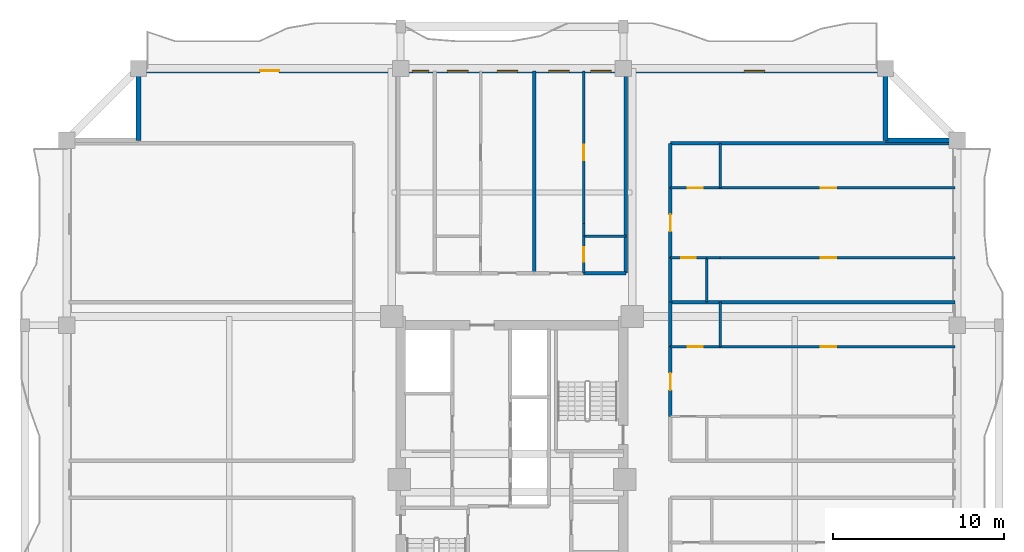
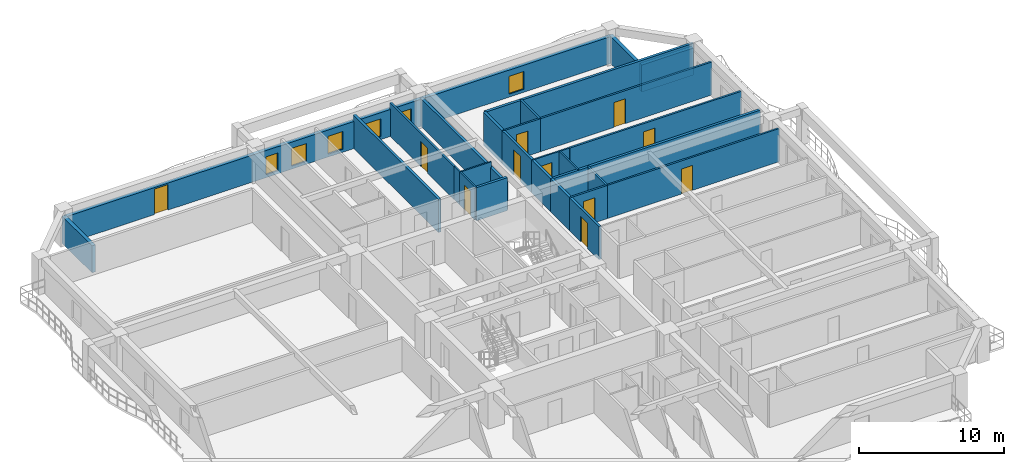
# One storey, part 6 of 12: 28 walls, 11 doors, 6 windows, 17 openings.
"""IFC4 building model written with IfcOpenShell, lengths in metres."""

from ifc_helpers import new_model, si_unit, direction, frame, frame_2d, origin, place, context, subcontext, project, spatial, rectangle, extrude, source, transform, mapped, material, layer, layer_set, type_object, element, fill, save


model = new_model("IFC4")

# Units and contexts
model_context = context("Model", 3, precision=1e-05, world=origin(), true_north=direction((0.0, 1.0)))
body_context = subcontext(model_context, "Body", "Model", "MODEL_VIEW")
ifc_project = project(units=[si_unit("LENGTHUNIT", "METRE"), si_unit("AREAUNIT", "SQUARE_METRE"), si_unit("VOLUMEUNIT", "CUBIC_METRE"), si_unit("PLANEANGLEUNIT", "RADIAN"), si_unit("MASSUNIT", "GRAM", prefix="KILO")], contexts=[model_context])

# Site, building, storey
site_placement = place(None, origin())
site = spatial("IfcSite", under=ifc_project, at=site_placement, CompositionType="ELEMENT")
building_placement = place(site_placement, origin())
building = spatial("IfcBuilding", under=site, at=building_placement, Name="Saelheon Loggia Tower", CompositionType="ELEMENT")
storey_placement = place(building_placement, frame((0.0, 0.0, 101.85009765625)))
storey = spatial("IfcBuildingStorey", under=building, at=storey_placement, Name="L32", CompositionType="ELEMENT", Elevation=101.85009765625)

# Wall, openings, windows, door
ifc_material_1 = material(Name="Architectural Precast Concrete C40/50", Category="concrete")
ifc_layer_1 = layer(ifc_material_1, 0.280029296875)
ifc_layer_set_1 = layer_set([ifc_layer_1], Name="Architectural Precast Concrete C40/50")
wall_type_1 = type_object("IfcWallType", Name="Wall_Ext_Loggia_280", PredefinedType="SOLIDWALL", material=ifc_layer_set_1)
wall_1_placement = place(storey_placement, frame((16.199951171875, 50.860107421875, 0.0), z_axis=(0.0, 0.0, 1.0), x_axis=(1.0, 0.0, 0.0)))
wall_1 = element("IfcWall", 1, at=wall_1_placement, inside=storey, type_object=wall_type_1, Name="L32 North Loggia Inner Wall", PredefinedType="SOLIDWALL", context=body_context, shape_type="SweptSolid", body=[
    extrude(rectangle(XDim=43.60009765625, YDim=0.280029296875, at=frame_2d((21.800048828125, 0.0))), origin(), (0.0, 0.0, 1.0), 2.27978515625),
])
opening_1_placement = place(wall_1_placement, frame((7.10009765625, 0.0, 0.0)))
opening_1 = element("IfcOpeningElement", 2, at=opening_1_placement, cuts=wall_1, Name="Opening TD1", PredefinedType="OPENING", context=body_context, shape_type="SweptSolid", body=[
    extrude(rectangle(XDim=1.10009765625, YDim=2.14990234375, at=frame_2d((0.550048828125, 1.074951171875))), frame((0.0, 0.152099609375, 0.0), z_axis=(0.0, -1.0, 0.0), x_axis=(1.0, 0.0, 0.0)), (0.0, 0.0, 1.0), 0.303955078125),
])
opening_2_placement = place(wall_1_placement, frame((15.982421875, 0.0, 0.25)))
opening_2 = element("IfcOpeningElement", 3, at=opening_2_placement, cuts=wall_1, Name="Opening WN-04", PredefinedType="OPENING", context=body_context, shape_type="SweptSolid", body=[
    extrude(rectangle(XDim=0.949951171875, YDim=1.5, at=frame_2d((0.47509765625, 0.75))), frame((0.0, 0.152099609375, 0.0), z_axis=(0.0, -1.0, 0.0), x_axis=(1.0, 0.0, 0.0)), (0.0, 0.0, 1.0), 0.303955078125),
])
opening_3_placement = place(wall_1_placement, frame((18.033447265625, 0.0, 0.25)))
opening_3 = element("IfcOpeningElement", 4, at=opening_3_placement, cuts=wall_1, Name="Opening WN-03", PredefinedType="OPENING", context=body_context, shape_type="SweptSolid", body=[
    extrude(rectangle(XDim=1.199951171875, YDim=1.5, at=frame_2d((0.60009765625, 0.75))), frame((0.0, 0.152099609375, 0.0), z_axis=(0.0, -1.0, 0.0), x_axis=(1.0, 0.0, 0.0)), (0.0, 0.0, 1.0), 0.303955078125),
])
opening_4_placement = place(wall_1_placement, frame((20.9326171875, 0.0, 0.25)))
opening_4 = element("IfcOpeningElement", 5, at=opening_4_placement, cuts=wall_1, Name="Opening WN-03", PredefinedType="OPENING", context=body_context, shape_type="SweptSolid", body=[
    extrude(rectangle(XDim=1.199951171875, YDim=1.5, at=frame_2d((0.60009765625, 0.75))), frame((0.0, 0.152099609375, 0.0), z_axis=(0.0, -1.0, 0.0), x_axis=(1.0, 0.0, 0.0)), (0.0, 0.0, 1.0), 0.303955078125),
])
opening_5_placement = place(wall_1_placement, frame((23.943115234375, 0.0, 0.25)))
opening_5 = element("IfcOpeningElement", 6, at=opening_5_placement, cuts=wall_1, Name="Opening WN-03", PredefinedType="OPENING", context=body_context, shape_type="SweptSolid", body=[
    extrude(rectangle(XDim=1.199951171875, YDim=1.5, at=frame_2d((0.60009765625, 0.75))), frame((0.0, 0.152099609375, 0.0), z_axis=(0.0, -1.0, 0.0), x_axis=(1.0, 0.0, 0.0)), (0.0, 0.0, 1.0), 0.303955078125),
])
opening_6_placement = place(wall_1_placement, frame((26.386474609375, 0.0, 0.25)))
opening_6 = element("IfcOpeningElement", 7, at=opening_6_placement, cuts=wall_1, Name="Opening WN-03", PredefinedType="OPENING", context=body_context, shape_type="SweptSolid", body=[
    extrude(rectangle(XDim=1.199951171875, YDim=1.5, at=frame_2d((0.60009765625, 0.75))), frame((0.0, 0.152099609375, 0.0), z_axis=(0.0, -1.0, 0.0), x_axis=(1.0, 0.0, 0.0)), (0.0, 0.0, 1.0), 0.303955078125),
])
opening_7_placement = place(wall_1_placement, frame((35.35009765625, 0.0, 0.25)))
opening_7 = element("IfcOpeningElement", 8, at=opening_7_placement, cuts=wall_1, Name="Opening WN-03", PredefinedType="OPENING", context=body_context, shape_type="SweptSolid", body=[
    extrude(rectangle(XDim=1.199951171875, YDim=1.5, at=frame_2d((0.60009765625, 0.75))), frame((0.0, 0.152099609375, 0.0), z_axis=(0.0, -1.0, 0.0), x_axis=(1.0, 0.0, 0.0)), (0.0, 0.0, 1.0), 0.303955078125),
])
ifc_material_2 = material(Name="Thermal-Break Aluminium and Triple Low-E Glass", Category="aluminium")
window_type_1 = type_object("IfcWindowType", Name="Win_Bedroom_1200x1500", PartitioningType="SINGLE_PANEL", PredefinedType="WINDOW", material=ifc_material_2)
shared_shape_1 = source(origin(), body_context, "Body", "SweptSolid", [
    extrude(rectangle(XDim=1.199951171875, YDim=1.5, at=frame_2d((0.60009765625, 0.75))), frame((0.0, 0.030029296875, 0.0), z_axis=(0.0, -1.0, 0.0), x_axis=(1.0, 0.0, 0.0)), (0.0, 0.0, 1.0), 0.06005859375),
])
window_1_placement = place(opening_3_placement, origin())
window_1 = element("IfcWindow", 9, at=window_1_placement, inside=storey, type_object=window_type_1, Name="L32 N Dwelling Window 3", OverallHeight=1.5, OverallWidth=1.199951171875, PartitioningType="SINGLE_PANEL", PredefinedType="WINDOW", context=body_context, shape_type="MappedRepresentation", body=[
    mapped(shared_shape_1, transform((0.0, 0.0, 0.0), scale=1.0)),
])
fill(opening_3, window_1)
window_2_placement = place(opening_4_placement, origin())
window_2 = element("IfcWindow", 10, at=window_2_placement, inside=storey, type_object=window_type_1, Name="L32 N Dwelling Window 4", OverallHeight=1.5, OverallWidth=1.199951171875, PartitioningType="SINGLE_PANEL", PredefinedType="WINDOW", context=body_context, shape_type="MappedRepresentation", body=[
    mapped(shared_shape_1, transform((0.0, 0.0, 0.0), scale=1.0)),
])
fill(opening_4, window_2)
window_3_placement = place(opening_5_placement, origin())
window_3 = element("IfcWindow", 11, at=window_3_placement, inside=storey, type_object=window_type_1, Name="L32 N Dwelling Window 5", OverallHeight=1.5, OverallWidth=1.199951171875, PartitioningType="SINGLE_PANEL", PredefinedType="WINDOW", context=body_context, shape_type="MappedRepresentation", body=[
    mapped(shared_shape_1, transform((0.0, 0.0, 0.0), scale=1.0)),
])
fill(opening_5, window_3)
window_4_placement = place(opening_6_placement, origin())
window_4 = element("IfcWindow", 12, at=window_4_placement, inside=storey, type_object=window_type_1, Name="L32 N Dwelling Window 6", OverallHeight=1.5, OverallWidth=1.199951171875, PartitioningType="SINGLE_PANEL", PredefinedType="WINDOW", context=body_context, shape_type="MappedRepresentation", body=[
    mapped(shared_shape_1, transform((0.0, 0.0, 0.0), scale=1.0)),
])
fill(opening_6, window_4)
window_5_placement = place(opening_7_placement, origin())
window_5 = element("IfcWindow", 13, at=window_5_placement, inside=storey, type_object=window_type_1, Name="L32 N Dwelling Window 7", OverallHeight=1.5, OverallWidth=1.199951171875, PartitioningType="SINGLE_PANEL", PredefinedType="WINDOW", context=body_context, shape_type="MappedRepresentation", body=[
    mapped(shared_shape_1, transform((0.0, 0.0, 0.0), scale=1.0)),
])
fill(opening_7, window_5)
ifc_material_3 = material(Name="Thermal-Break Aluminium Glazed Door", Category="aluminium")
door_type_1 = type_object("IfcDoorType", Name="Door_Terrace_TD1", OperationType="NOTDEFINED", PredefinedType="DOOR", material=ifc_material_3)
shared_shape_2 = source(origin(), body_context, "Body", "SweptSolid", [
    extrude(rectangle(XDim=1.10009765625, YDim=2.14990234375, at=frame_2d((0.550048828125, 1.074951171875))), frame((0.0, 0.02490234375, 0.0), z_axis=(0.0, -1.0, 0.0), x_axis=(1.0, 0.0, 0.0)), (0.0, 0.0, 1.0), 0.050048828125),
])
door_1_placement = place(opening_1_placement, origin())
door_1 = element("IfcDoor", 14, at=door_1_placement, inside=storey, type_object=door_type_1, Name="L32 N Loggia Access Door", OperationType="SINGLE_SWING_LEFT", OverallHeight=2.14990234375, OverallWidth=1.10009765625, PredefinedType="DOOR", context=body_context, shape_type="MappedRepresentation", body=[
    mapped(shared_shape_2, transform((0.0, 0.0, 0.0), scale=1.0)),
])
fill(opening_1, door_1)
window_type_2 = type_object("IfcWindowType", Name="Win_Narrow_950x1500", PartitioningType="SINGLE_PANEL", PredefinedType="WINDOW", material=ifc_material_2)
shared_shape_3 = source(origin(), body_context, "Body", "SweptSolid", [
    extrude(rectangle(XDim=0.949951171875, YDim=1.5, at=frame_2d((0.47509765625, 0.75))), frame((0.0, 0.030029296875, 0.0), z_axis=(0.0, -1.0, 0.0), x_axis=(1.0, 0.0, 0.0)), (0.0, 0.0, 1.0), 0.06005859375),
])
window_6_placement = place(opening_2_placement, origin())
window_6 = element("IfcWindow", 15, at=window_6_placement, inside=storey, type_object=window_type_2, Name="L32 N Dwelling Window 2", OverallHeight=1.5, OverallWidth=0.949951171875, PartitioningType="SINGLE_PANEL", PredefinedType="WINDOW", context=body_context, shape_type="MappedRepresentation", body=[
    mapped(shared_shape_3, transform((0.0, 0.0, 0.0), scale=1.0)),
])
fill(opening_2, window_6)

# Walls
for number, where, z_axis, x_axis, name in (
    (16, (16.199951171875, 46.800048828125, 0.0), (0.0, 0.0, 1.0), (0.0, 1.0, 0.0), "L32 Corner Notch Precast Wall NW1"),
    (17, (59.800048828125, 46.800048828125, 0.0), (0.0, 0.0, 1.0), (0.0, 1.0, 0.0), "L32 Corner Notch Precast Wall NE1"),
    (18, (59.800048828125, 46.800048828125, 0.0), (0.0, 0.0, 1.0), (1.0, 0.0, 0.0), "L32 Corner Notch Precast Wall NE2"),
):
    element("IfcWall", number, at=place(storey_placement, frame(where, z_axis=z_axis, x_axis=x_axis)), inside=storey, type_object=wall_type_1, Name=name, PredefinedType="SOLIDWALL", context=body_context, shape_type="SweptSolid", body=[
        extrude(rectangle(XDim=4.119873046875, YDim=0.280029296875, at=frame_2d((2.06005859375, 0.0))), origin(), (0.0, 0.0, 1.0), 2.27978515625),
    ])

# Wall, opening, door
ifc_material_4 = material(Name="Lightweight Autoclaved Aerated Concrete Block and Acoustic Gypsum", Category="concrete")
ifc_layer_2 = layer(ifc_material_4, 0.14990234375)
ifc_layer_set_2 = layer_set([ifc_layer_2], Name="Lightweight Autoclaved Aerated Concrete Block and Acoustic Gypsum")
wall_type_2 = type_object("IfcWallType", Name="Wall_Part_150", PredefinedType="PARTITIONING", material=ifc_layer_set_2)
wall_2_placement = place(storey_placement, frame((42.18798828125, 41.949951171875, 0.0), z_axis=(0.0, 0.0, 1.0), x_axis=(0.0, 1.0, 0.0)))
wall_2 = element("IfcWall", 19, at=wall_2_placement, inside=storey, type_object=wall_type_2, Name="L32 N Partition U17", PredefinedType="PARTITIONING", context=body_context, shape_type="SweptSolid", body=[
    extrude(rectangle(XDim=8.900146484375, YDim=0.14990234375, at=frame_2d((4.4501953125, 0.0))), origin(), (0.0, 0.0, 1.0), 2.789794921875),
])
opening_8_placement = place(wall_2_placement, frame((3.686767578125, 0.0, 0.0)))
opening_8 = element("IfcOpeningElement", 20, at=opening_8_placement, cuts=wall_2, Name="Opening D-IN2", PredefinedType="OPENING", context=body_context, shape_type="SweptSolid", body=[
    extrude(rectangle(XDim=0.89990234375, YDim=2.10009765625, at=frame_2d((0.449951171875, 1.050048828125))), frame((0.0, 0.0869140625, 0.0), z_axis=(0.0, -1.0, 0.0), x_axis=(1.0, 0.0, 0.0)), (0.0, 0.0, 1.0), 0.173828125),
])
ifc_material_5 = material(Name="Engineered Oak Flush Door", Category="timber")
door_type_2 = type_object("IfcDoorType", Name="Door_Int_900", OperationType="NOTDEFINED", PredefinedType="DOOR", material=ifc_material_5)
shared_shape_4 = source(origin(), body_context, "Body", "SweptSolid", [
    extrude(rectangle(XDim=0.89990234375, YDim=2.10009765625, at=frame_2d((0.449951171875, 1.050048828125))), frame((0.0, 0.02490234375, 0.0), z_axis=(0.0, -1.0, 0.0), x_axis=(1.0, 0.0, 0.0)), (0.0, 0.0, 1.0), 0.050048828125),
])
door_2_placement = place(opening_8_placement, origin())
door_2 = element("IfcDoor", 21, at=door_2_placement, inside=storey, type_object=door_type_2, Name="Unit U03 Kitchen Door", OperationType="SINGLE_SWING_LEFT", OverallHeight=2.10009765625, OverallWidth=0.89990234375, PredefinedType="DOOR", context=body_context, shape_type="MappedRepresentation", body=[
    mapped(shared_shape_4, transform((0.0, 0.0, 0.0), scale=1.0)),
])
fill(opening_8, door_2)

# Wall
wall_3_placement = place(storey_placement, frame((50.14990234375, 34.75, 0.0), z_axis=(0.0, 0.0, 1.0), x_axis=(0.0, 1.0, 0.0)))
element("IfcWall", 22, at=wall_3_placement, inside=storey, type_object=wall_type_2, Name="L32 EN Partition V07", PredefinedType="PARTITIONING", context=body_context, shape_type="SweptSolid", body=[
    extrude(rectangle(XDim=2.60009765625, YDim=0.14990234375, at=frame_2d((1.300048828125, 0.0))), origin(), (0.0, 0.0, 1.0), 2.789794921875),
])

# Wall, opening, door
wall_4_placement = place(storey_placement, frame((47.25, 34.75, 0.0), z_axis=(0.0, 0.0, 1.0), x_axis=(1.0, 0.0, 0.0)))
wall_4 = element("IfcWall", 23, at=wall_4_placement, inside=storey, type_object=wall_type_2, Name="L32 EN Partition U11", PredefinedType="PARTITIONING", context=body_context, shape_type="SweptSolid", body=[
    extrude(rectangle(XDim=2.89990234375, YDim=0.14990234375, at=frame_2d((1.449951171875, 0.0))), origin(), (0.0, 0.0, 1.0), 2.789794921875),
])
opening_9_placement = place(wall_4_placement, frame((1.0, 0.0, 0.0)))
opening_9 = element("IfcOpeningElement", 24, at=opening_9_placement, cuts=wall_4, Name="Opening D-IN2", PredefinedType="OPENING", context=body_context, shape_type="SweptSolid", body=[
    extrude(rectangle(XDim=0.89990234375, YDim=2.10009765625, at=frame_2d((0.449951171875, 1.050048828125))), frame((0.0, 0.0869140625, 0.0), z_axis=(0.0, -1.0, 0.0), x_axis=(1.0, 0.0, 0.0)), (0.0, 0.0, 1.0), 0.173828125),
])
door_3_placement = place(opening_9_placement, origin())
door_3 = element("IfcDoor", 25, at=door_3_placement, inside=storey, type_object=door_type_2, Name="Unit U06 Dressing Closet Door", OperationType="SINGLE_SWING_LEFT", OverallHeight=2.10009765625, OverallWidth=0.89990234375, PredefinedType="DOOR", context=body_context, shape_type="MappedRepresentation", body=[
    mapped(shared_shape_4, transform((0.0, 0.0, 0.0), scale=1.0)),
])
fill(opening_9, door_3)

wall_5_placement = place(storey_placement, frame((50.14990234375, 34.75, 0.0), z_axis=(0.0, 0.0, 1.0), x_axis=(1.0, 0.0, 0.0)))
wall_5 = element("IfcWall", 26, at=wall_5_placement, inside=storey, type_object=wall_type_2, Name="L32 EN Partition U12", PredefinedType="PARTITIONING", context=body_context, shape_type="SweptSolid", body=[
    extrude(rectangle(XDim=13.7001953125, YDim=0.14990234375, at=frame_2d((6.85009765625, 0.0))), origin(), (0.0, 0.0, 1.0), 2.789794921875),
])
opening_10_placement = place(wall_5_placement, frame((5.88671875, 0.0, 0.0)))
opening_10 = element("IfcOpeningElement", 27, at=opening_10_placement, cuts=wall_5, Name="Opening D-IN2", PredefinedType="OPENING", context=body_context, shape_type="SweptSolid", body=[
    extrude(rectangle(XDim=0.89990234375, YDim=2.10009765625, at=frame_2d((0.449951171875, 1.050048828125))), frame((0.0, 0.0869140625, 0.0), z_axis=(0.0, -1.0, 0.0), x_axis=(1.0, 0.0, 0.0)), (0.0, 0.0, 1.0), 0.173828125),
])
door_4_placement = place(opening_10_placement, origin())
door_4 = element("IfcDoor", 28, at=door_4_placement, inside=storey, type_object=door_type_2, Name="Unit U06 Bedroom 1 Door", OperationType="SINGLE_SWING_RIGHT", OverallHeight=2.10009765625, OverallWidth=0.89990234375, PredefinedType="DOOR", context=body_context, shape_type="MappedRepresentation", body=[
    mapped(shared_shape_4, transform((0.0, 0.0, 0.0), scale=1.0)),
])
fill(opening_10, door_4)

# Wall
wall_6_placement = place(storey_placement, frame((50.14990234375, 44.02001953125, 0.0), z_axis=(0.0, 0.0, 1.0), x_axis=(0.0, 1.0, 0.0)))
element("IfcWall", 29, at=wall_6_placement, inside=storey, type_object=wall_type_2, Name="L32 EN Partition V18", PredefinedType="PARTITIONING", context=body_context, shape_type="SweptSolid", body=[
    extrude(rectangle(XDim=2.60009765625, YDim=0.14990234375, at=frame_2d((1.300048828125, 0.0))), origin(), (0.0, 0.0, 1.0), 2.789794921875),
])

# Wall, opening, door
wall_7_placement = place(storey_placement, frame((50.14990234375, 39.945556640625, 0.0), z_axis=(0.0, 0.0, 1.0), x_axis=(1.0, 0.0, 0.0)))
wall_7 = element("IfcWall", 30, at=wall_7_placement, inside=storey, type_object=wall_type_2, Name="L32 EN Partition U21", PredefinedType="PARTITIONING", context=body_context, shape_type="SweptSolid", body=[
    extrude(rectangle(XDim=13.7001953125, YDim=0.14990234375, at=frame_2d((6.85009765625, 0.0))), origin(), (0.0, 0.0, 1.0), 2.789794921875),
])
opening_11_placement = place(wall_7_placement, frame((5.88671875, 0.0, 0.0)))
opening_11 = element("IfcOpeningElement", 31, at=opening_11_placement, cuts=wall_7, Name="Opening D-IN2", PredefinedType="OPENING", context=body_context, shape_type="SweptSolid", body=[
    extrude(rectangle(XDim=0.89990234375, YDim=2.10009765625, at=frame_2d((0.449951171875, 1.050048828125))), frame((0.0, 0.0869140625, 0.0), z_axis=(0.0, -1.0, 0.0), x_axis=(1.0, 0.0, 0.0)), (0.0, 0.0, 1.0), 0.173828125),
])
door_5_placement = place(opening_11_placement, origin())
door_5 = element("IfcDoor", 32, at=door_5_placement, inside=storey, type_object=door_type_2, Name="Unit U07 Kitchen Door", OperationType="SINGLE_SWING_LEFT", OverallHeight=2.10009765625, OverallWidth=0.89990234375, PredefinedType="DOOR", context=body_context, shape_type="MappedRepresentation", body=[
    mapped(shared_shape_4, transform((0.0, 0.0, 0.0), scale=1.0)),
])
fill(opening_11, door_5)

wall_8_placement = place(storey_placement, frame((47.25, 44.02001953125, 0.0), z_axis=(0.0, 0.0, 1.0), x_axis=(1.0, 0.0, 0.0)))
wall_8 = element("IfcWall", 33, at=wall_8_placement, inside=storey, type_object=wall_type_2, Name="L32 EN Partition U22", PredefinedType="PARTITIONING", context=body_context, shape_type="SweptSolid", body=[
    extrude(rectangle(XDim=2.89990234375, YDim=0.14990234375, at=frame_2d((1.449951171875, 0.0))), origin(), (0.0, 0.0, 1.0), 2.789794921875),
])
opening_12_placement = place(wall_8_placement, frame((1.0, 0.0, 0.0)))
opening_12 = element("IfcOpeningElement", 34, at=opening_12_placement, cuts=wall_8, Name="Opening D-IN2", PredefinedType="OPENING", context=body_context, shape_type="SweptSolid", body=[
    extrude(rectangle(XDim=0.89990234375, YDim=2.10009765625, at=frame_2d((0.449951171875, 1.050048828125))), frame((0.0, 0.0869140625, 0.0), z_axis=(0.0, -1.0, 0.0), x_axis=(1.0, 0.0, 0.0)), (0.0, 0.0, 1.0), 0.173828125),
])
door_6_placement = place(opening_12_placement, origin())
door_6 = element("IfcDoor", 35, at=door_6_placement, inside=storey, type_object=door_type_2, Name="Unit U07 Dressing Closet Door", OperationType="SINGLE_SWING_RIGHT", OverallHeight=2.10009765625, OverallWidth=0.89990234375, PredefinedType="DOOR", context=body_context, shape_type="MappedRepresentation", body=[
    mapped(shared_shape_4, transform((0.0, 0.0, 0.0), scale=1.0)),
])
fill(opening_12, door_6)

wall_9_placement = place(storey_placement, frame((50.14990234375, 44.02001953125, 0.0), z_axis=(0.0, 0.0, 1.0), x_axis=(1.0, 0.0, 0.0)))
wall_9 = element("IfcWall", 36, at=wall_9_placement, inside=storey, type_object=wall_type_2, Name="L32 EN Partition U23", PredefinedType="PARTITIONING", context=body_context, shape_type="SweptSolid", body=[
    extrude(rectangle(XDim=13.7001953125, YDim=0.14990234375, at=frame_2d((6.85009765625, 0.0))), origin(), (0.0, 0.0, 1.0), 2.789794921875),
])
opening_13_placement = place(wall_9_placement, frame((5.88671875, 0.0, 0.0)))
opening_13 = element("IfcOpeningElement", 37, at=opening_13_placement, cuts=wall_9, Name="Opening D-IN2", PredefinedType="OPENING", context=body_context, shape_type="SweptSolid", body=[
    extrude(rectangle(XDim=0.89990234375, YDim=2.10009765625, at=frame_2d((0.449951171875, 1.050048828125))), frame((0.0, 0.0869140625, 0.0), z_axis=(0.0, -1.0, 0.0), x_axis=(1.0, 0.0, 0.0)), (0.0, 0.0, 1.0), 0.173828125),
])
door_7_placement = place(opening_13_placement, origin())
door_7 = element("IfcDoor", 38, at=door_7_placement, inside=storey, type_object=door_type_2, Name="Unit U07 Bedroom 1 Door", OperationType="SINGLE_SWING_LEFT", OverallHeight=2.10009765625, OverallWidth=0.89990234375, PredefinedType="DOOR", context=body_context, shape_type="MappedRepresentation", body=[
    mapped(shared_shape_4, transform((0.0, 0.0, 0.0), scale=1.0)),
])
fill(opening_13, door_7)

# Walls
ifc_material_6 = material(Name="Double Acoustic Stud and Fireboard Partition", Category="gypsum")
ifc_layer_3 = layer(ifc_material_6, 0.199951171875)
ifc_layer_set_3 = layer_set([ifc_layer_3], Name="Double Acoustic Stud and Fireboard Partition")
wall_type_3 = type_object("IfcWallType", Name="Wall_Party_200", PredefinedType="PARTITIONING", material=ifc_layer_set_3)
wall_10_placement = place(storey_placement, frame((44.64990234375, 39.050048828125, 0.0), z_axis=(0.0, 0.0, 1.0), x_axis=(0.0, 1.0, 0.0)))
element("IfcWall", 39, at=wall_10_placement, inside=storey, type_object=wall_type_3, Name="L32 N Partition U02", PredefinedType="PARTITIONING", context=body_context, shape_type="SweptSolid", body=[
    extrude(rectangle(XDim=11.800048828125, YDim=0.199951171875, at=frame_2d((5.89990234375, 0.0))), origin(), (0.0, 0.0, 1.0), 2.33984375),
])
wall_11_placement = place(storey_placement, frame((39.298095703125, 39.050048828125, 0.0), z_axis=(0.0, 0.0, 1.0), x_axis=(0.0, 1.0, 0.0)))
element("IfcWall", 40, at=wall_11_placement, inside=storey, type_object=wall_type_3, Name="L32 N Partition U11", PredefinedType="PARTITIONING", context=body_context, shape_type="SweptSolid", body=[
    extrude(rectangle(XDim=11.800048828125, YDim=0.199951171875, at=frame_2d((5.89990234375, 0.0))), origin(), (0.0, 0.0, 1.0), 2.789794921875),
])
wall_12_placement = place(storey_placement, frame((42.18798828125, 39.050048828125, 0.0), z_axis=(0.0, 0.0, 1.0), x_axis=(1.0, 0.0, 0.0)))
element("IfcWall", 41, at=wall_12_placement, inside=storey, type_object=wall_type_3, Name="L32 N Partition V13", PredefinedType="PARTITIONING", context=body_context, shape_type="SweptSolid", body=[
    extrude(rectangle(XDim=2.4619140625, YDim=0.199951171875, at=frame_2d((1.23095703125, 0.0))), origin(), (0.0, 0.0, 1.0), 2.789794921875),
])
wall_13_placement = place(storey_placement, frame((47.25, 46.6201171875, 0.0), z_axis=(0.0, 0.0, 1.0), x_axis=(1.0, 0.0, 0.0)))
element("IfcWall", 42, at=wall_13_placement, inside=storey, type_object=wall_type_3, Name="L32 EN Partition U02", PredefinedType="PARTITIONING", context=body_context, shape_type="SweptSolid", body=[
    extrude(rectangle(XDim=16.60009765625, YDim=0.199951171875, at=frame_2d((8.300048828125, 0.0))), origin(), (0.0, 0.0, 1.0), 2.789794921875),
])

# Wall, opening, door
wall_14_placement = place(storey_placement, frame((47.25, 30.675537109375, 0.0), z_axis=(0.0, 0.0, 1.0), x_axis=(0.0, 1.0, 0.0)))
wall_14 = element("IfcWall", 43, at=wall_14_placement, inside=storey, type_object=wall_type_3, Name="L32 EN Partition V04", PredefinedType="PARTITIONING", context=body_context, shape_type="SweptSolid", body=[
    extrude(rectangle(XDim=4.074462890625, YDim=0.199951171875, at=frame_2d((2.037109375, 0.0))), origin(), (0.0, 0.0, 1.0), 2.789794921875),
])
opening_14_placement = place(wall_14_placement, frame((1.537109375, 0.0, 0.0)))
opening_14 = element("IfcOpeningElement", 44, at=opening_14_placement, cuts=wall_14, Name="Opening D-FD1", PredefinedType="OPENING", context=body_context, shape_type="SweptSolid", body=[
    extrude(rectangle(XDim=1.0, YDim=2.14990234375, at=frame_2d((0.5, 1.074951171875))), frame((0.0, 0.112060546875, 0.0), z_axis=(0.0, -1.0, 0.0), x_axis=(1.0, 0.0, 0.0)), (0.0, 0.0, 1.0), 0.223876953125),
])
ifc_material_7 = material(Name="Fire-Rated Engineered Timber Entrance Door", Category="wood")
door_type_3 = type_object("IfcDoorType", Name="Door_Flat_FD30S", OperationType="NOTDEFINED", PredefinedType="DOOR", material=ifc_material_7)
shared_shape_5 = source(origin(), body_context, "Body", "SweptSolid", [
    extrude(rectangle(XDim=1.0, YDim=2.14990234375, at=frame_2d((0.5, 1.074951171875))), frame((0.0, 0.02490234375, 0.0), z_axis=(0.0, -1.0, 0.0), x_axis=(1.0, 0.0, 0.0)), (0.0, 0.0, 1.0), 0.050048828125),
])
door_8_placement = place(opening_14_placement, origin())
door_8 = element("IfcDoor", 45, at=door_8_placement, inside=storey, type_object=door_type_3, Name="Unit U06 Entrance Door", OperationType="SINGLE_SWING_RIGHT", OverallHeight=2.14990234375, OverallWidth=1.0, PredefinedType="DOOR", context=body_context, shape_type="MappedRepresentation", body=[
    mapped(shared_shape_5, transform((0.0, 0.0, 0.0), scale=1.0)),
])
fill(opening_14, door_8)

# Walls
wall_15_placement = place(storey_placement, frame((47.25, 34.75, 0.0), z_axis=(0.0, 0.0, 1.0), x_axis=(0.0, 1.0, 0.0)))
element("IfcWall", 46, at=wall_15_placement, inside=storey, type_object=wall_type_3, Name="L32 EN Partition V05", PredefinedType="PARTITIONING", context=body_context, shape_type="SweptSolid", body=[
    extrude(rectangle(XDim=2.60009765625, YDim=0.199951171875, at=frame_2d((1.300048828125, 0.0))), origin(), (0.0, 0.0, 1.0), 2.789794921875),
])
wall_16_placement = place(storey_placement, frame((47.25, 37.35009765625, 0.0), z_axis=(0.0, 0.0, 1.0), x_axis=(1.0, 0.0, 0.0)))
element("IfcWall", 47, at=wall_16_placement, inside=storey, type_object=wall_type_3, Name="L32 EN Partition U13", PredefinedType="PARTITIONING", context=body_context, shape_type="SweptSolid", body=[
    extrude(rectangle(XDim=16.60009765625, YDim=0.199951171875, at=frame_2d((8.300048828125, 0.0))), origin(), (0.0, 0.0, 1.0), 2.789794921875),
])
wall_17_placement = place(storey_placement, frame((47.25, 37.35009765625, 0.0), z_axis=(0.0, 0.0, 1.0), x_axis=(0.0, 1.0, 0.0)))
element("IfcWall", 48, at=wall_17_placement, inside=storey, type_object=wall_type_3, Name="L32 EN Partition V14", PredefinedType="PARTITIONING", context=body_context, shape_type="SweptSolid", body=[
    extrude(rectangle(XDim=2.595458984375, YDim=0.199951171875, at=frame_2d((1.2978515625, 0.0))), origin(), (0.0, 0.0, 1.0), 2.789794921875),
])

# Wall, opening, door
wall_18_placement = place(storey_placement, frame((47.25, 39.945556640625, 0.0), z_axis=(0.0, 0.0, 1.0), x_axis=(0.0, 1.0, 0.0)))
wall_18 = element("IfcWall", 49, at=wall_18_placement, inside=storey, type_object=wall_type_3, Name="L32 EN Partition V15", PredefinedType="PARTITIONING", context=body_context, shape_type="SweptSolid", body=[
    extrude(rectangle(XDim=4.074462890625, YDim=0.199951171875, at=frame_2d((2.037109375, 0.0))), origin(), (0.0, 0.0, 1.0), 2.789794921875),
])
opening_15_placement = place(wall_18_placement, frame((1.537109375, 0.0, 0.0)))
opening_15 = element("IfcOpeningElement", 50, at=opening_15_placement, cuts=wall_18, Name="Opening D-FD1", PredefinedType="OPENING", context=body_context, shape_type="SweptSolid", body=[
    extrude(rectangle(XDim=1.0, YDim=2.14990234375, at=frame_2d((0.5, 1.074951171875))), frame((0.0, 0.112060546875, 0.0), z_axis=(0.0, -1.0, 0.0), x_axis=(1.0, 0.0, 0.0)), (0.0, 0.0, 1.0), 0.223876953125),
])
door_9_placement = place(opening_15_placement, origin())
door_9 = element("IfcDoor", 51, at=door_9_placement, inside=storey, type_object=door_type_3, Name="Unit U07 Entrance Door", OperationType="SINGLE_SWING_LEFT", OverallHeight=2.14990234375, OverallWidth=1.0, PredefinedType="DOOR", context=body_context, shape_type="MappedRepresentation", body=[
    mapped(shared_shape_5, transform((0.0, 0.0, 0.0), scale=1.0)),
])
fill(opening_15, door_9)

# Wall
wall_19_placement = place(storey_placement, frame((47.25, 44.02001953125, 0.0), z_axis=(0.0, 0.0, 1.0), x_axis=(0.0, 1.0, 0.0)))
element("IfcWall", 52, at=wall_19_placement, inside=storey, type_object=wall_type_3, Name="L32 EN Partition V16", PredefinedType="PARTITIONING", context=body_context, shape_type="SweptSolid", body=[
    extrude(rectangle(XDim=2.60009765625, YDim=0.199951171875, at=frame_2d((1.300048828125, 0.0))), origin(), (0.0, 0.0, 1.0), 2.789794921875),
])

# Wall, opening, door
ifc_material_8 = material(Name="Moisture-Resistant Cement Board Partition", Category="gypsum")
ifc_layer_4 = layer(ifc_material_8, 0.1201171875)
ifc_layer_set_4 = layer_set([ifc_layer_4], Name="Moisture-Resistant Cement Board Partition")
wall_type_4 = type_object("IfcWallType", Name="Wall_WetPart_120", PredefinedType="PARTITIONING", material=ifc_layer_set_4)
wall_20_placement = place(storey_placement, frame((42.18798828125, 39.050048828125, 0.0), z_axis=(0.0, 0.0, 1.0), x_axis=(0.0, 1.0, 0.0)))
wall_20 = element("IfcWall", 53, at=wall_20_placement, inside=storey, type_object=wall_type_4, Name="L32 N Partition U14", PredefinedType="PARTITIONING", context=body_context, shape_type="SweptSolid", body=[
    extrude(rectangle(XDim=2.14990234375, YDim=0.1201171875, at=frame_2d((1.074951171875, 0.0))), origin(), (0.0, 0.0, 1.0), 2.789794921875),
])
opening_16_placement = place(wall_20_placement, frame((0.64990234375, 0.0, 0.0)))
opening_16 = element("IfcOpeningElement", 54, at=opening_16_placement, cuts=wall_20, Name="Opening D-BT1", PredefinedType="OPENING", context=body_context, shape_type="SweptSolid", body=[
    extrude(rectangle(XDim=0.85009765625, YDim=2.050048828125, at=frame_2d((0.425048828125, 1.02490234375))), frame((0.0, 0.072021484375, 0.0), z_axis=(0.0, -1.0, 0.0), x_axis=(1.0, 0.0, 0.0)), (0.0, 0.0, 1.0), 0.14404296875),
])
ifc_material_9 = material(Name="Moisture-Resistant Laminate Timber Door", Category="wood")
door_type_4 = type_object("IfcDoorType", Name="Door_Bath_850", OperationType="NOTDEFINED", PredefinedType="DOOR", material=ifc_material_9)
shared_shape_6 = source(origin(), body_context, "Body", "SweptSolid", [
    extrude(rectangle(XDim=0.85009765625, YDim=2.050048828125, at=frame_2d((0.425048828125, 1.02490234375))), frame((0.0, 0.02490234375, 0.0), z_axis=(0.0, -1.0, 0.0), x_axis=(1.0, 0.0, 0.0)), (0.0, 0.0, 1.0), 0.050048828125),
])
door_10_placement = place(opening_16_placement, origin())
door_10 = element("IfcDoor", 55, at=door_10_placement, inside=storey, type_object=door_type_4, Name="Unit U03 Bathroom Door", OperationType="SINGLE_SWING_RIGHT", OverallHeight=2.050048828125, OverallWidth=0.85009765625, PredefinedType="DOOR", context=body_context, shape_type="MappedRepresentation", body=[
    mapped(shared_shape_6, transform((0.0, 0.0, 0.0), scale=1.0)),
])
fill(opening_16, door_10)

# Walls
wall_21_placement = place(storey_placement, frame((42.18798828125, 41.199951171875, 0.0), z_axis=(0.0, 0.0, 1.0), x_axis=(0.0, 1.0, 0.0)))
element("IfcWall", 56, at=wall_21_placement, inside=storey, type_object=wall_type_4, Name="L32 N Partition U15", PredefinedType="PARTITIONING", context=body_context, shape_type="SweptSolid", body=[
    extrude(rectangle(XDim=0.75, YDim=0.1201171875, at=frame_2d((0.375, 0.0))), origin(), (0.0, 0.0, 1.0), 2.789794921875),
])
wall_22_placement = place(storey_placement, frame((42.18798828125, 41.199951171875, 0.0), z_axis=(0.0, 0.0, 1.0), x_axis=(1.0, 0.0, 0.0)))
element("IfcWall", 57, at=wall_22_placement, inside=storey, type_object=wall_type_4, Name="L32 N Partition V16", PredefinedType="PARTITIONING", context=body_context, shape_type="SweptSolid", body=[
    extrude(rectangle(XDim=2.4619140625, YDim=0.1201171875, at=frame_2d((1.23095703125, 0.0))), origin(), (0.0, 0.0, 1.0), 2.789794921875),
])
wall_23_placement = place(storey_placement, frame((49.3701171875, 37.35009765625, 0.0), z_axis=(0.0, 0.0, 1.0), x_axis=(0.0, 1.0, 0.0)))
element("IfcWall", 58, at=wall_23_placement, inside=storey, type_object=wall_type_4, Name="L32 EN Partition V17", PredefinedType="PARTITIONING", context=body_context, shape_type="SweptSolid", body=[
    extrude(rectangle(XDim=2.595458984375, YDim=0.1201171875, at=frame_2d((1.2978515625, 0.0))), origin(), (0.0, 0.0, 1.0), 2.789794921875),
])

# Wall, opening, door
wall_24_placement = place(storey_placement, frame((47.25, 39.945556640625, 0.0), z_axis=(0.0, 0.0, 1.0), x_axis=(1.0, 0.0, 0.0)))
wall_24 = element("IfcWall", 59, at=wall_24_placement, inside=storey, type_object=wall_type_4, Name="L32 EN Partition U19", PredefinedType="PARTITIONING", context=body_context, shape_type="SweptSolid", body=[
    extrude(rectangle(XDim=2.1201171875, YDim=0.1201171875, at=frame_2d((1.06005859375, 0.0))), origin(), (0.0, 0.0, 1.0), 2.789794921875),
])
opening_17_placement = place(wall_24_placement, frame((0.635009765625, 0.0, 0.0)))
opening_17 = element("IfcOpeningElement", 60, at=opening_17_placement, cuts=wall_24, Name="Opening D-BT1", PredefinedType="OPENING", context=body_context, shape_type="SweptSolid", body=[
    extrude(rectangle(XDim=0.85009765625, YDim=2.050048828125, at=frame_2d((0.425048828125, 1.02490234375))), frame((0.0, 0.072021484375, 0.0), z_axis=(0.0, -1.0, 0.0), x_axis=(1.0, 0.0, 0.0)), (0.0, 0.0, 1.0), 0.14404296875),
])
door_11_placement = place(opening_17_placement, origin())
door_11 = element("IfcDoor", 61, at=door_11_placement, inside=storey, type_object=door_type_4, Name="Unit U07 Bathroom Door", OperationType="SINGLE_SWING_RIGHT", OverallHeight=2.050048828125, OverallWidth=0.85009765625, PredefinedType="DOOR", context=body_context, shape_type="MappedRepresentation", body=[
    mapped(shared_shape_6, transform((0.0, 0.0, 0.0), scale=1.0)),
])
fill(opening_17, door_11)

# Wall
wall_25_placement = place(storey_placement, frame((49.3701171875, 39.945556640625, 0.0), z_axis=(0.0, 0.0, 1.0), x_axis=(1.0, 0.0, 0.0)))
element("IfcWall", 62, at=wall_25_placement, inside=storey, type_object=wall_type_4, Name="L32 EN Partition U20", PredefinedType="PARTITIONING", context=body_context, shape_type="SweptSolid", body=[
    extrude(rectangle(XDim=0.77978515625, YDim=0.1201171875, at=frame_2d((0.389892578125, 0.0))), origin(), (0.0, 0.0, 1.0), 2.789794921875),
])

save(model, "model.ifc")
